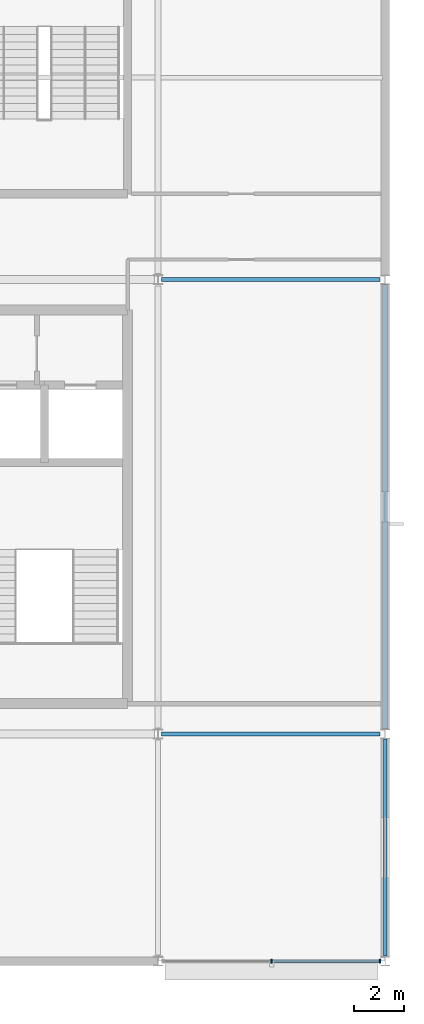
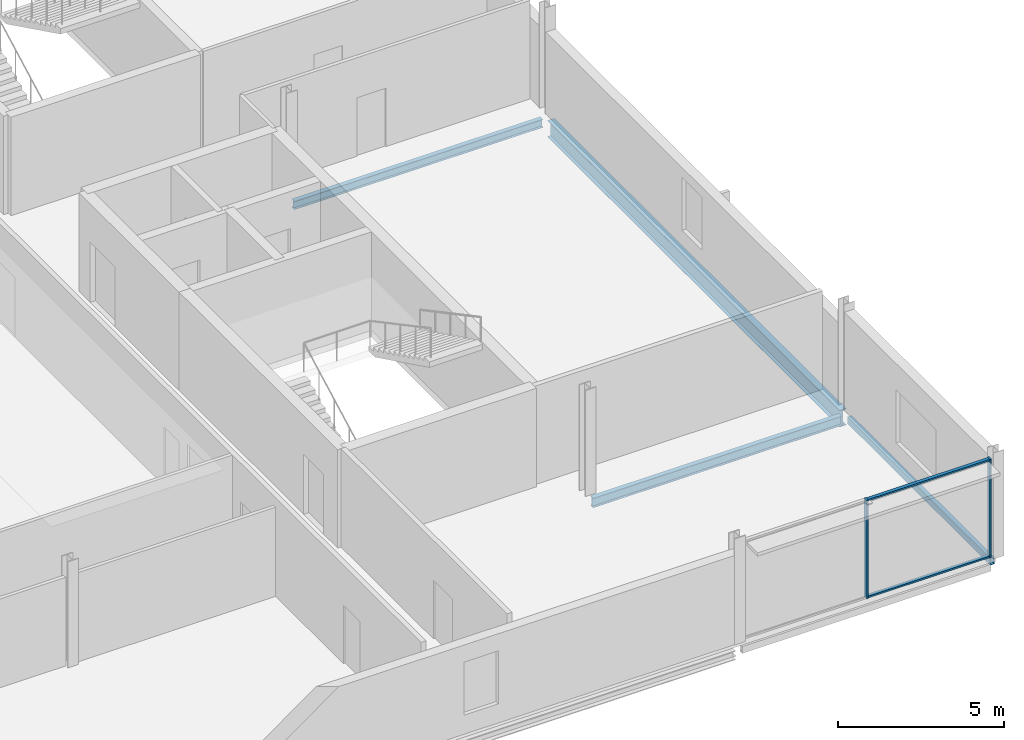
# One storey, part 45 of 98: 4 beams, 4 members, 1 element without a shape of its own.
"""IFC4 building model written with IfcOpenShell, lengths in metres."""

from ifc_helpers import new_model, si_unit, direction, frame, origin, origin_2d, place, context, subcontext, project, spatial, rectangle, hollow_rectangle, i_section, extrude, material, layer, layer_set, material_profile, profile_set, type_object, element, aggregate, save


model = new_model("IFC4")

# Units and contexts
model_context = context("Model", 3, precision=1e-05, world=origin(), true_north=direction((0.0, 1.0)))
body_context = subcontext(model_context, "Body", "Model", "MODEL_VIEW")
ifc_project = project(units=[si_unit("LENGTHUNIT", "METRE"), si_unit("AREAUNIT", "SQUARE_METRE"), si_unit("VOLUMEUNIT", "CUBIC_METRE"), si_unit("PLANEANGLEUNIT", "RADIAN"), si_unit("MASSUNIT", "GRAM", prefix="KILO")], contexts=[model_context])

# Site, building, storey
site_placement = place(None, origin())
site = spatial("IfcSite", under=ifc_project, at=site_placement, CompositionType="ELEMENT")
building_placement = place(site_placement, origin())
building = spatial("IfcBuilding", under=site, at=building_placement, Name="Kisiwana Market Hall", CompositionType="ELEMENT")
storey_placement = place(building_placement, frame((0.0, 0.0, 29.39990234375)))
storey = spatial("IfcBuildingStorey", under=building, at=storey_placement, Name="L06", CompositionType="ELEMENT", Elevation=29.39990234375)

# Beams
ifc_material_1 = material(Name="Steel S355", Category="steel")
ifc_material_profile_1 = material_profile(ifc_material_1, i_section(OverallWidth=0.22900390625, OverallDepth=0.6123046875, WebThickness=0.011962890625, FlangeThickness=0.01953125, at=origin_2d()), Name="UB 610x229x125")
ifc_profile_set_1 = profile_set([ifc_material_profile_1], Name="Steel S355")
beam_type_1 = type_object("IfcBeamType", Name="BM-GIRD-UB610H", PredefinedType="BEAM", material=ifc_profile_set_1)
beam_1_placement = place(storey_placement, frame((198.0, 18.19921875, -0.551025390625), z_axis=(0.0, 1.0, 0.0), x_axis=(-1.0, 0.0, 0.0)))
element("IfcBeam", 1, at=beam_1_placement, inside=storey, type_object=beam_type_1, Name="Floor beam B-1872", PredefinedType="BEAM", context=body_context, shape_type="SweptSolid", body=[
    extrude(i_section(OverallWidth=0.22900390625, OverallDepth=0.6123046875, WebThickness=0.011962890625, FlangeThickness=0.01953125, at=origin_2d()), origin(), (0.0, 0.0, 1.0), 17.6015625),
])
ifc_material_2 = material(Name="Steel S355", Category="steel")
ifc_material_profile_2 = material_profile(ifc_material_2, i_section(OverallWidth=0.1708984375, OverallDepth=0.351318359375, WebThickness=0.007080078125, FlangeThickness=0.009765625, FilletRadius=0.01025390625, at=origin_2d()), Name="UB 356x171x45")
ifc_profile_set_2 = profile_set([ifc_material_profile_2], Name="Steel S355")
beam_type_2 = type_object("IfcBeamType", Name="BM-JOIST-UB045", PredefinedType="JOIST", material=ifc_profile_set_2)
beam_2_placement = place(storey_placement, frame((189.14599609375, 18.0, -0.420654296875), z_axis=(1.0, 0.0, 0.0), x_axis=(0.0, 1.0, 0.0)))
element("IfcBeam", 2, at=beam_2_placement, inside=storey, type_object=beam_type_2, Name="Floor beam B-1796", PredefinedType="JOIST", context=body_context, shape_type="SweptSolid", body=[
    extrude(i_section(OverallWidth=0.1708984375, OverallDepth=0.351318359375, WebThickness=0.007080078125, FlangeThickness=0.009765625, FilletRadius=0.01025390625, at=origin_2d()), origin(), (0.0, 0.0, 1.0), 8.65478515625),
])
ifc_material_3 = material(Name="Steel S355", Category="steel")
ifc_material_profile_3 = material_profile(ifc_material_3, i_section(OverallWidth=0.1650390625, OverallDepth=0.303466796875, WebThickness=0.006103515625, FlangeThickness=0.01025390625, at=origin_2d()), Name="UB 305x165x40")
ifc_profile_set_3 = profile_set([ifc_material_profile_3], Name="Steel S355")
beam_type_3 = type_object("IfcBeamType", Name="BM-JOIST-UB305", PredefinedType="JOIST", material=ifc_profile_set_3)
beam_3_placement = place(storey_placement, frame((189.14599609375, 36.0, -0.396484375), z_axis=(1.0, 0.0, 0.0), x_axis=(0.0, 1.0, 0.0)))
element("IfcBeam", 3, at=beam_3_placement, inside=storey, type_object=beam_type_3, Name="Floor beam B-1810", PredefinedType="JOIST", context=body_context, shape_type="SweptSolid", body=[
    extrude(i_section(OverallWidth=0.1650390625, OverallDepth=0.303466796875, WebThickness=0.006103515625, FlangeThickness=0.01025390625, at=origin_2d()), origin(), (0.0, 0.0, 1.0), 8.65478515625),
])
ifc_material_4 = material(Name="Steel S355", Category="steel")
ifc_material_profile_4 = material_profile(ifc_material_4, hollow_rectangle(XDim=0.14990234375, YDim=0.25, WallThickness=0.010009765625, at=origin_2d()), Name="RHS 250x150x10.0")
ifc_profile_set_4 = profile_set([ifc_material_profile_4], Name="Steel S355")
beam_type_4 = type_object("IfcBeamType", Name="BM-SPAN-RHS250", PredefinedType="SPANDREL", material=ifc_profile_set_4)
beam_4_placement = place(storey_placement, frame((198.0, 9.19921875, -0.369873046875), z_axis=(0.0, 1.0, 0.0), x_axis=(-1.0, 0.0, 0.0)))
element("IfcBeam", 4, at=beam_4_placement, inside=storey, type_object=beam_type_4, Name="Floor beam B-1871", PredefinedType="SPANDREL", context=body_context, shape_type="SweptSolid", body=[
    extrude(hollow_rectangle(XDim=0.14990234375, YDim=0.25, WallThickness=0.010009765625, at=origin_2d()), origin(), (0.0, 0.0, 1.0), 8.6015625),
])

# Curtain wall, members
ifc_material_5 = material(Name="Double-glazed solar-control low-E IGU", Category="glass")
ifc_layer = layer(ifc_material_5, 0.159912109375)
ifc_layer_set = layer_set([ifc_layer], Name="CW-ZNA-EW-8200")
curtain_wall_type = type_object("IfcCurtainWallType", Name="CW-ZNA-EW-8200", PredefinedType="USERDEFINED", material=ifc_layer_set)
curtain_wall_placement = place(storey_placement, origin())
curtain_wall = element("IfcCurtainWall", 5, at=curtain_wall_placement, inside=storey, type_object=curtain_wall_type, Name="Unitised curtain wall CW-171 (L06)", ObjectType="UNITISED CURTAIN WALL", PredefinedType="USERDEFINED")
ifc_material_6 = material(Name="Aluminium alloy 6063-T6", Category="aluminium")
ifc_material_profile_5 = material_profile(ifc_material_6, rectangle(XDim=0.06005859375, YDim=0.159912109375, at=origin_2d()), Name="ALU MULLION 60x160")
ifc_profile_set_5 = profile_set([ifc_material_profile_5], Name="Aluminium alloy 6063-T6")
member_type_1 = type_object("IfcMemberType", Name="CW-MULL-60x160", PredefinedType="MULLION", material=ifc_profile_set_5)
member_1_placement = place(storey_placement, frame((193.501220703125, 9.0, 0.0), z_axis=(0.0, 0.0, 1.0), x_axis=(1.0, 0.0, 0.0)))
member_1 = element("IfcMember", 6, at=member_1_placement, type_object=member_type_1, Name="CW-171 mullion 2", PredefinedType="MULLION", context=body_context, shape_type="SweptSolid", body=[
    extrude(rectangle(XDim=0.06005859375, YDim=0.159912109375, at=origin_2d()), origin(), (0.0, 0.0, 1.0), 3.6201171875),
])
member_2_placement = place(storey_placement, frame((197.784912109375, 9.0, 0.0), z_axis=(0.0, 0.0, 1.0), x_axis=(1.0, 0.0, 0.0)))
member_2 = element("IfcMember", 7, at=member_2_placement, type_object=member_type_1, Name="CW-171 mullion 3", PredefinedType="MULLION", context=body_context, shape_type="SweptSolid", body=[
    extrude(rectangle(XDim=0.06005859375, YDim=0.159912109375, at=origin_2d()), origin(), (0.0, 0.0, 1.0), 3.6201171875),
])
ifc_material_7 = material(Name="Aluminium alloy 6063-T6", Category="aluminium")
ifc_material_profile_6 = material_profile(ifc_material_7, rectangle(XDim=0.1201171875, YDim=0.06005859375, at=origin_2d()), Name="ALU TRANSOM 60x120")
ifc_profile_set_6 = profile_set([ifc_material_profile_6], Name="Aluminium alloy 6063-T6")
member_type_2 = type_object("IfcMemberType", Name="CW-TRAN-60x120", PredefinedType="USERDEFINED", material=ifc_profile_set_6)
member_3_placement = place(storey_placement, frame((193.531005859375, 9.0, 0.030029296875), z_axis=(1.0, 0.0, 0.0), x_axis=(0.0, 1.0, 0.0)))
member_3 = element("IfcMember", 8, at=member_3_placement, type_object=member_type_2, Name="CW-171 transom 2.1", ObjectType="TRANSOM", PredefinedType="USERDEFINED", context=body_context, shape_type="SweptSolid", body=[
    extrude(rectangle(XDim=0.1201171875, YDim=0.06005859375, at=origin_2d()), origin(), (0.0, 0.0, 1.0), 4.223876953125),
])
member_4_placement = place(storey_placement, frame((193.531005859375, 9.0, 3.590087890625), z_axis=(1.0, 0.0, 0.0), x_axis=(0.0, 1.0, 0.0)))
member_4 = element("IfcMember", 9, at=member_4_placement, type_object=member_type_2, Name="CW-171 transom 2.2", ObjectType="TRANSOM", PredefinedType="USERDEFINED", context=body_context, shape_type="SweptSolid", body=[
    extrude(rectangle(XDim=0.1201171875, YDim=0.06005859375, at=origin_2d()), origin(), (0.0, 0.0, 1.0), 4.223876953125),
])
aggregate(curtain_wall, [member_1, member_2, member_3, member_4])

save(model, "model.ifc")
